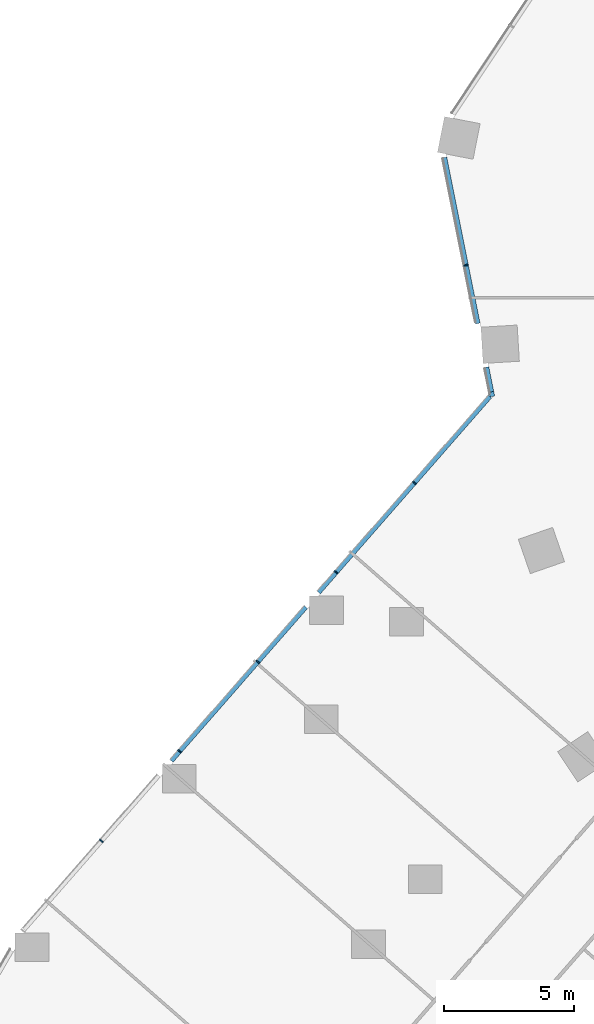
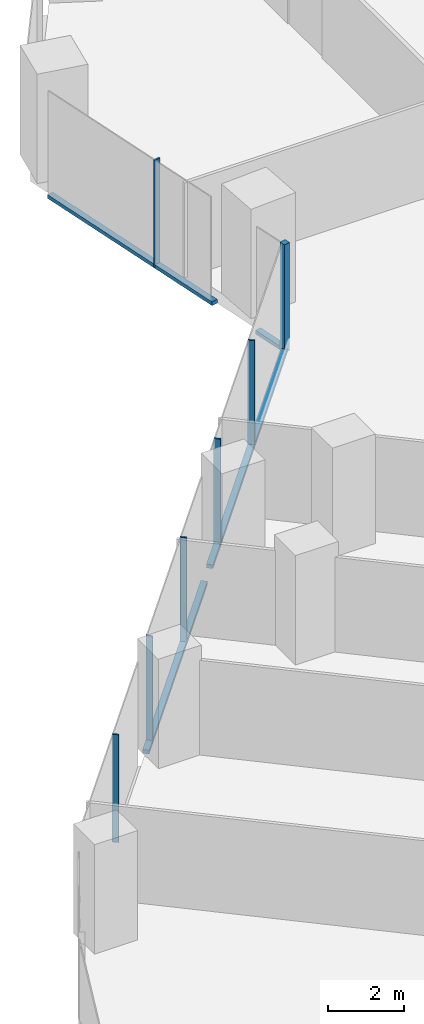
# One storey, part 6 of 38: 11 members, 2 elements without a shape of their own.
"""IFC4 building model written with IfcOpenShell, lengths in metres."""

from ifc_helpers import new_model, si_unit, direction, frame, origin, origin_2d, place, context, subcontext, project, spatial, rectangle, extrude, material, material_profile, profile_set, type_object, element, aggregate, save


model = new_model("IFC4")

# Units and contexts
model_context = context("Model", 3, precision=1e-05, world=origin(), true_north=direction((0.0, 1.0)))
body_context = subcontext(model_context, "Body", "Model", "MODEL_VIEW")
ifc_project = project(units=[si_unit("LENGTHUNIT", "METRE"), si_unit("AREAUNIT", "SQUARE_METRE"), si_unit("VOLUMEUNIT", "CUBIC_METRE"), si_unit("PLANEANGLEUNIT", "RADIAN"), si_unit("MASSUNIT", "GRAM", prefix="KILO")], contexts=[model_context])

# Site, building, storey
site_placement = place(None, origin())
site = spatial("IfcSite", under=ifc_project, at=site_placement, CompositionType="ELEMENT")
building_placement = place(site_placement, origin())
building = spatial("IfcBuilding", under=site, at=building_placement, Name="Orlundy Tower", CompositionType="ELEMENT")
storey_placement = place(building_placement, frame((0.0, 0.0, 69.300048828125)))
storey = spatial("IfcBuildingStorey", under=building, at=storey_placement, Name="L16", CompositionType="ELEMENT", Elevation=69.300048828125)

# Curtain wall, member
ifc_material_1 = material(Name="Aluminium bronze anodised", Category="aluminium")
curtain_wall_type = type_object("IfcCurtainWallType", Name="CW1 wall", PredefinedType="NOTDEFINED", material=ifc_material_1)
curtain_wall_1_placement = place(storey_placement, origin())
curtain_wall_1 = element("IfcCurtainWall", 1, at=curtain_wall_1_placement, inside=storey, type_object=curtain_wall_type, Name="CW1 run 013", PredefinedType="NOTDEFINED")
ifc_material_2 = material(Name="Aluminium bronze anodised", Category="aluminium")
ifc_material_profile_1 = material_profile(ifc_material_2, rectangle(XDim=0.179931640625, YDim=0.179931640625, at=origin_2d()), Name="CW1 corner post 180x180")
ifc_profile_set_1 = profile_set([ifc_material_profile_1], Name="Aluminium bronze anodised")
member_type_1 = type_object("IfcMemberType", Name="CW1 corner post 180x180", PredefinedType="MULLION", material=ifc_profile_set_1)
member_1_placement = place(storey_placement, frame((-29.94189453125, -3.72314453125, -0.400146484375), z_axis=(0.0, 0.0, 1.0), x_axis=(-0.980497937474, -0.196529373401, 0.0)))
member_1 = element("IfcMember", 2, at=member_1_placement, type_object=member_type_1, Name="CW1 mullion 32", PredefinedType="MULLION", context=body_context, shape_type="SweptSolid", body=[
    extrude(rectangle(XDim=0.179931640625, YDim=0.179931640625, at=origin_2d()), origin(), (0.0, 0.0, 1.0), 3.4501953125),
])

# Curtain wall, members
curtain_wall_2_placement = place(storey_placement, origin())
curtain_wall_2 = element("IfcCurtainWall", 3, at=curtain_wall_2_placement, inside=storey, type_object=curtain_wall_type, Name="CW1 run 012", PredefinedType="NOTDEFINED")
ifc_material_3 = material(Name="Aluminium bronze anodised", Category="aluminium")
ifc_material_profile_2 = material_profile(ifc_material_3, rectangle(XDim=0.179931640625, YDim=0.050048828125, at=origin_2d()), Name="CW1 mullion 50x180")
ifc_profile_set_2 = profile_set([ifc_material_profile_2], Name="Aluminium bronze anodised")
member_type_2 = type_object("IfcMemberType", Name="CW1 mullion 50x180", PredefinedType="MULLION", material=ifc_profile_set_2)
member_2_placement = place(storey_placement, frame((-45.01611328125, -20.96142578125, -0.400146484375), z_axis=(0.0, 0.0, 1.0), x_axis=(-0.752779154075, 0.658273153933, 0.0)))
member_2 = element("IfcMember", 4, at=member_2_placement, type_object=member_type_2, Name="CW1 mullion 27", PredefinedType="MULLION", context=body_context, shape_type="SweptSolid", body=[
    extrude(rectangle(XDim=0.179931640625, YDim=0.050048828125, at=origin_2d()), origin(), (0.0, 0.0, 1.0), 3.4501953125),
])
member_3_placement = place(storey_placement, frame((-41.995361328125, -17.507080078125, -0.400146484375), z_axis=(0.0, 0.0, 1.0), x_axis=(-0.752779154075, 0.658273153933, 0.0)))
member_3 = element("IfcMember", 5, at=member_3_placement, type_object=member_type_2, Name="CW1 mullion 28", PredefinedType="MULLION", context=body_context, shape_type="SweptSolid", body=[
    extrude(rectangle(XDim=0.179931640625, YDim=0.050048828125, at=origin_2d()), origin(), (0.0, 0.0, 1.0), 3.4501953125),
])
member_4_placement = place(storey_placement, frame((-38.974853515625, -14.052734375, -0.400146484375), z_axis=(0.0, 0.0, 1.0), x_axis=(-0.752779154075, 0.658273153933, 0.0)))
member_4 = element("IfcMember", 6, at=member_4_placement, type_object=member_type_2, Name="CW1 mullion 29", PredefinedType="MULLION", context=body_context, shape_type="SweptSolid", body=[
    extrude(rectangle(XDim=0.179931640625, YDim=0.050048828125, at=origin_2d()), origin(), (0.0, 0.0, 1.0), 3.4501953125),
])
member_5_placement = place(storey_placement, frame((-35.9541015625, -10.598388671875, -0.400146484375), z_axis=(0.0, 0.0, 1.0), x_axis=(-0.752779154075, 0.658273153933, 0.0)))
member_5 = element("IfcMember", 7, at=member_5_placement, type_object=member_type_2, Name="CW1 mullion 30", PredefinedType="MULLION", context=body_context, shape_type="SweptSolid", body=[
    extrude(rectangle(XDim=0.179931640625, YDim=0.050048828125, at=origin_2d()), origin(), (0.0, 0.0, 1.0), 3.4501953125),
])
member_6_placement = place(storey_placement, frame((-32.933349609375, -7.14404296875, -0.400146484375), z_axis=(0.0, 0.0, 1.0), x_axis=(-0.752779154075, 0.658273153933, 0.0)))
member_6 = element("IfcMember", 8, at=member_6_placement, type_object=member_type_2, Name="CW1 mullion 31", PredefinedType="MULLION", context=body_context, shape_type="SweptSolid", body=[
    extrude(rectangle(XDim=0.179931640625, YDim=0.050048828125, at=origin_2d()), origin(), (0.0, 0.0, 1.0), 3.4501953125),
])

# Member
member_7_placement = place(storey_placement, frame((-30.939208984375, 1.252197265625, -0.400146484375), z_axis=(0.0, 0.0, 1.0), x_axis=(-0.980497937474, -0.196529373401, 0.0)))
member_7 = element("IfcMember", 9, at=member_7_placement, type_object=member_type_2, Name="CW1 mullion 33", PredefinedType="MULLION", context=body_context, shape_type="SweptSolid", body=[
    extrude(rectangle(XDim=0.179931640625, YDim=0.050048828125, at=origin_2d()), origin(), (0.0, 0.0, 1.0), 3.4501953125),
])

ifc_material_4 = material(Name="Aluminium bronze anodised", Category="aluminium")
ifc_material_profile_3 = material_profile(ifc_material_4, rectangle(XDim=0.179931640625, YDim=0.1201171875, at=origin_2d()), Name="CW1 transom 180x120")
ifc_profile_set_3 = profile_set([ifc_material_profile_3], Name="Aluminium bronze anodised")
member_type_3 = type_object("IfcMemberType", Name="CW1 transom 180x120", PredefinedType="USERDEFINED", material=ifc_profile_set_3)
member_8_placement = place(storey_placement, frame((-42.313720703125, -17.87109375, -0.340087890625), z_axis=(0.658274246781, 0.752778198425, 0.0), x_axis=(-0.752778198425, 0.658274246781, 0.0)))
member_8 = element("IfcMember", 10, at=member_8_placement, type_object=member_type_3, Name="CW1 transom", ObjectType="TRANSOM", PredefinedType="USERDEFINED", context=body_context, shape_type="SweptSolid", body=[
    extrude(rectangle(XDim=0.179931640625, YDim=0.1201171875, at=origin_2d()), origin(), (0.0, 0.0, 1.0), 7.87939453125),
])

member_9_placement = place(storey_placement, frame((-36.630615234375, -11.3720703125, -0.340087890625), z_axis=(0.658277502826, 0.752775351133, 0.0), x_axis=(-0.752775351133, 0.658277502826, 0.0)))
member_9 = element("IfcMember", 11, at=member_9_placement, type_object=member_type_3, Name="CW1 transom", ObjectType="TRANSOM", PredefinedType="USERDEFINED", context=body_context, shape_type="SweptSolid", body=[
    extrude(rectangle(XDim=0.179931640625, YDim=0.1201171875, at=origin_2d()), origin(), (0.0, 0.0, 1.0), 10.04736328125),
])

aggregate(curtain_wall_2, [member_2, member_3, member_4, member_5, member_6, member_8, member_9])

member_10_placement = place(storey_placement, frame((-29.959716796875, -3.635009765625, -0.340087890625), z_axis=(-0.19635725955, 0.980532419975, 0.0), x_axis=(-0.980532419975, -0.19635725955, 0.0)))
member_10 = element("IfcMember", 12, at=member_10_placement, type_object=member_type_3, Name="CW1 transom", ObjectType="TRANSOM", PredefinedType="USERDEFINED", context=body_context, shape_type="SweptSolid", body=[
    extrude(rectangle(XDim=0.179931640625, YDim=0.1201171875, at=origin_2d()), origin(), (0.0, 0.0, 1.0), 0.9736328125),
])

member_11_placement = place(storey_placement, frame((-30.48828125, -0.997802734375, -0.340087890625), z_axis=(-0.19652590044, 0.980498633582, 0.0), x_axis=(-0.980498633582, -0.19652590044, 0.0)))
member_11 = element("IfcMember", 13, at=member_11_placement, type_object=member_type_3, Name="CW1 transom", ObjectType="TRANSOM", PredefinedType="USERDEFINED", context=body_context, shape_type="SweptSolid", body=[
    extrude(rectangle(XDim=0.179931640625, YDim=0.1201171875, at=origin_2d()), origin(), (0.0, 0.0, 1.0), 6.53076171875),
])

aggregate(curtain_wall_1, [member_1, member_7, member_10, member_11])

save(model, "model.ifc")
